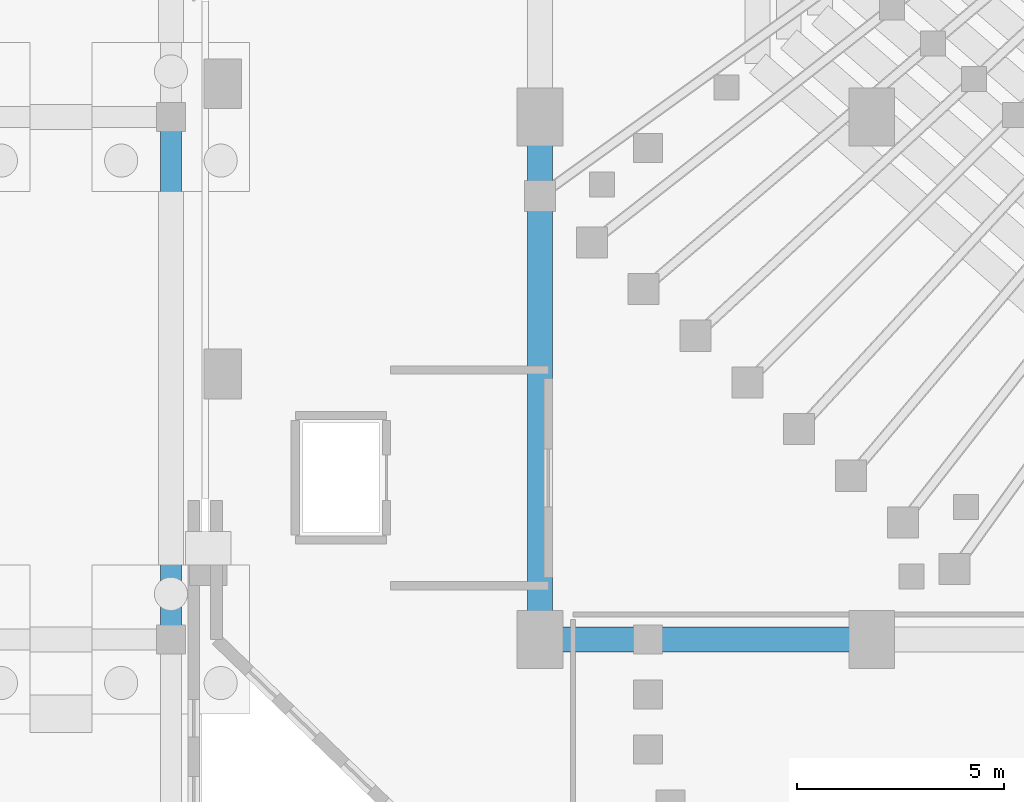
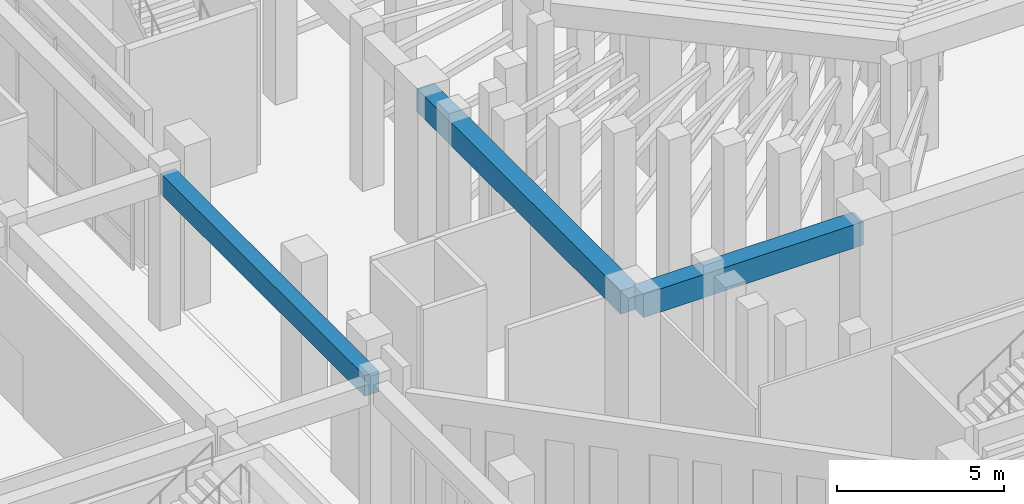
# One storey, part 28 of 143: 3 beams.
"""IFC4 building model written with IfcOpenShell, lengths in metres."""

from ifc_helpers import new_model, si_unit, derived_unit, direction, frame, origin, origin_2d, place, context, subcontext, project, spatial, rectangle, extrude, material, material_profile, profile_set, type_object, element, save


model = new_model("IFC4")

# Units and contexts
model_context = context("Model", 3, precision=1e-05, world=origin(), true_north=direction((0.0, 1.0)))
body_context = subcontext(model_context, "Body", "Model", "MODEL_VIEW")
ifc_project = project(units=[si_unit("LENGTHUNIT", "METRE"), si_unit("AREAUNIT", "SQUARE_METRE"), si_unit("VOLUMEUNIT", "CUBIC_METRE"), si_unit("PLANEANGLEUNIT", "RADIAN"), si_unit("MASSUNIT", "GRAM", prefix="KILO"), derived_unit("THERMALTRANSMITTANCEUNIT", [(si_unit("MASSUNIT", "GRAM", prefix="KILO"), 1), (si_unit("TIMEUNIT", "SECOND"), -3), (si_unit("THERMODYNAMICTEMPERATUREUNIT", "KELVIN"), -1)])], contexts=[model_context])

# Site, building, storey
site_placement = place(None, origin())
site = spatial("IfcSite", under=ifc_project, at=site_placement, CompositionType="ELEMENT")
building_placement = place(site_placement, origin())
building = spatial("IfcBuilding", under=site, at=building_placement, Name="Valcora Ridge Arena", CompositionType="ELEMENT")
storey_placement = place(building_placement, origin())
storey = spatial("IfcBuildingStorey", under=building, at=storey_placement, Name="L00", CompositionType="ELEMENT", Elevation=0.0)

# Beams
ifc_material = material(Name="Concrete C40/50", Category="concrete")
ifc_material_profile_1 = material_profile(ifc_material, rectangle(XDim=0.5, YDim=0.75, at=origin_2d()), Name="RC 500x750")
ifc_profile_set_1 = profile_set([ifc_material_profile_1], Name="Concrete C40/50")
beam_type_1 = type_object("IfcBeamType", Name="TY-BEAM-B-RC500-Y", PredefinedType="BEAM", material=ifc_profile_set_1)
beam_1_placement = place(storey_placement, frame((15.10009765625, 32.800048828125, 5.264892578125), z_axis=(0.0, 1.0, 0.0), x_axis=(-1.0, 0.0, 0.0)))
element("IfcBeam", 1, at=beam_1_placement, inside=storey, type_object=beam_type_1, Name="B-RC500-Y BEM-B-RC500-Y-0019", PredefinedType="BEAM", context=body_context, shape_type="SweptSolid", body=[
    extrude(rectangle(XDim=0.5, YDim=0.75, at=origin_2d()), origin(), (0.0, 0.0, 1.0), 12.199951171875),
])
ifc_material_profile_2 = material_profile(ifc_material, rectangle(XDim=0.60009765625, YDim=0.85009765625, at=origin_2d()), Name="RC 600x850")
ifc_profile_set_2 = profile_set([ifc_material_profile_2], Name="Concrete C40/50")
beam_type_2 = type_object("IfcBeamType", Name="TY-BEAM-B-RC600-Y", PredefinedType="BEAM", material=ifc_profile_set_2)
beam_2_placement = place(storey_placement, frame((24.0, 32.800048828125, 5.215087890625), z_axis=(0.0, 1.0, 0.0), x_axis=(-1.0, 0.0, 0.0)))
element("IfcBeam", 2, at=beam_2_placement, inside=storey, type_object=beam_type_2, Name="B-RC600-Y BEM-B-RC600-Y-0001", PredefinedType="BEAM", context=body_context, shape_type="SweptSolid", body=[
    extrude(rectangle(XDim=0.60009765625, YDim=0.85009765625, at=origin_2d()), origin(), (0.0, 0.0, 1.0), 12.199951171875),
])
ifc_material_profile_3 = material_profile(ifc_material, rectangle(XDim=0.60009765625, YDim=0.85009765625, at=origin_2d()), Name="RC 600x850")
ifc_profile_set_3 = profile_set([ifc_material_profile_3], Name="Concrete C40/50")
beam_type_3 = type_object("IfcBeamType", Name="TY-BEAM-EB-RC600", PredefinedType="BEAM", material=ifc_profile_set_3)
beam_3_placement = place(storey_placement, frame((24.199951171875, 32.60009765625, 5.215087890625), z_axis=(1.0, 0.0, 0.0), x_axis=(0.0, 1.0, 0.0)))
element("IfcBeam", 3, at=beam_3_placement, inside=storey, type_object=beam_type_3, Name="EB-RC600 BEM-EB-RC600-0001", PredefinedType="BEAM", context=body_context, shape_type="SweptSolid", body=[
    extrude(rectangle(XDim=0.60009765625, YDim=0.85009765625, at=origin_2d()), origin(), (0.0, 0.0, 1.0), 7.60009765625),
])

save(model, "model.ifc")
